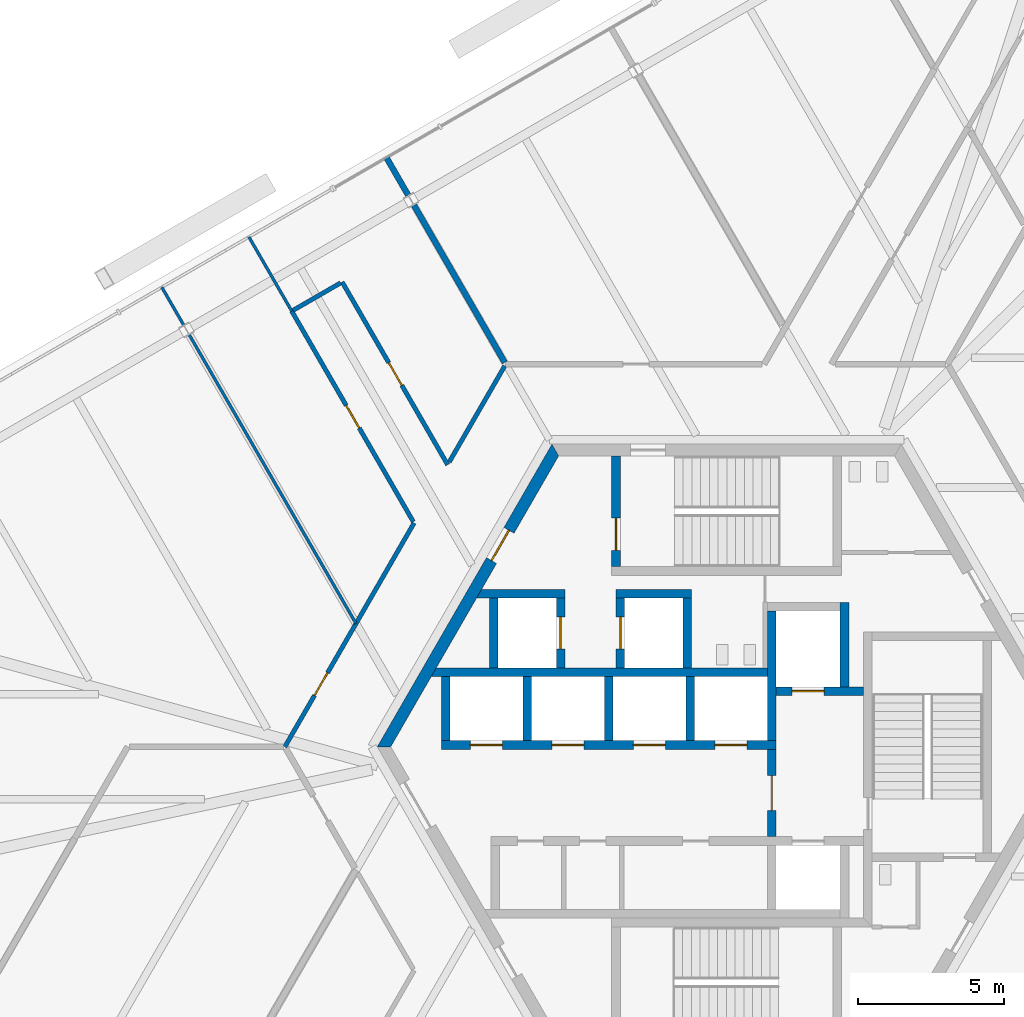
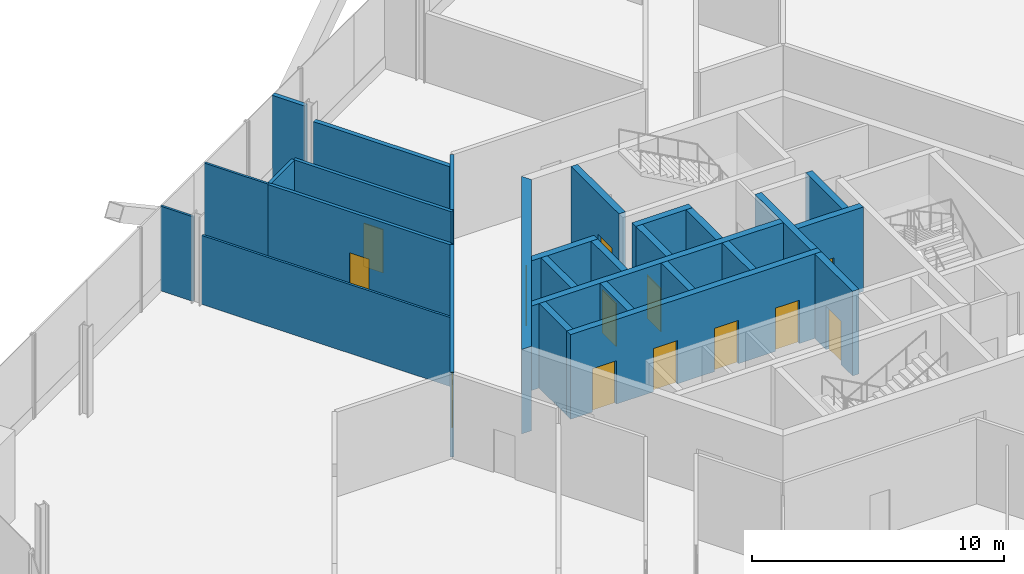
# One storey, part 12 of 16: 28 walls, 13 doors, 13 openings.
"""IFC4 building model written with IfcOpenShell, lengths in metres."""

from ifc_helpers import new_model, si_unit, direction, frame, frame_2d, origin, place, context, subcontext, project, spatial, polyline, rectangle, outline, extrude, source, transform, mapped, material, layer, layer_set, type_object, element, fill, save


model = new_model("IFC4")

# Units and contexts
model_context = context("Model", 3, precision=1e-05, world=origin(), true_north=direction((0.0, 1.0)))
body_context = subcontext(model_context, "Body", "Model", "MODEL_VIEW")
ifc_project = project(units=[si_unit("LENGTHUNIT", "METRE"), si_unit("AREAUNIT", "SQUARE_METRE"), si_unit("VOLUMEUNIT", "CUBIC_METRE"), si_unit("PLANEANGLEUNIT", "RADIAN"), si_unit("MASSUNIT", "GRAM", prefix="KILO")], contexts=[model_context])

# Site, building, storey
site_placement = place(None, origin())
site = spatial("IfcSite", under=ifc_project, at=site_placement, CompositionType="ELEMENT")
building_placement = place(site_placement, origin())
building = spatial("IfcBuilding", under=site, at=building_placement, Name="Triune Harvest Tower", CompositionType="ELEMENT")
storey_placement = place(building_placement, frame((0.0, 0.0, 37.5)))
storey = spatial("IfcBuildingStorey", under=building, at=storey_placement, Name="L08", CompositionType="ELEMENT", Elevation=37.5)

# Wall, opening, door
ifc_material_1 = material(Name="Gypsum board on steel studs", Category="steel")
ifc_layer_1 = layer(ifc_material_1, 0.14990234375)
ifc_layer_set_1 = layer_set([ifc_layer_1], Name="Gypsum board on steel studs")
wall_type_1 = type_object("IfcWallType", Name="Fire Partition 150 mm", PredefinedType="PARTITIONING", material=ifc_layer_set_1)
wall_1_placement = place(storey_placement, frame((-14.938720703125, 14.965087890625, 0.0), z_axis=(0.0, 0.0, 1.0), x_axis=(0.499977133552, -0.866038605332, 0.0)))
wall_1 = element("IfcWall", 1, at=wall_1_placement, inside=storey, type_object=wall_type_1, Name="Partition L08 007", PredefinedType="PARTITIONING", context=body_context, shape_type="SweptSolid", body=[
    extrude(rectangle(XDim=8.353515625, YDim=0.14990234375, at=frame_2d((4.1767578125, 0.0))), origin(), (0.0, 0.0, 1.0), 4.10009765625),
])
opening_1_placement = place(wall_1_placement, frame((3.739990234375, 0.0, 0.0)))
opening_1 = element("IfcOpeningElement", 2, at=opening_1_placement, cuts=wall_1, Name="Opening L08-010", PredefinedType="OPENING", context=body_context, shape_type="SweptSolid", body=[
    extrude(rectangle(XDim=0.89990234375, YDim=2.10009765625, at=frame_2d((0.449951171875, 1.050048828125))), frame((0.0, 0.0849609375, 0.0), z_axis=(0.0, -1.0, 0.0), x_axis=(1.0, 0.0, 0.0)), (0.0, 0.0, 1.0), 0.169921875),
])
ifc_material_2 = material(Name="Timber and steel door set", Category="steel")
door_type_1 = type_object("IfcDoorType", Name="Single leaf door FD30 right hand 900 x 2100", OperationType="SINGLE_SWING_RIGHT", PredefinedType="DOOR", material=ifc_material_2)
door_1_placement = place(opening_1_placement, origin())
door_1 = element("IfcDoor", 3, at=door_1_placement, inside=storey, type_object=door_type_1, Name="Door L08-010 Packing Room 08.10", OperationType="SINGLE_SWING_RIGHT", OverallHeight=2.10009765625, OverallWidth=0.89990234375, PredefinedType="DOOR", context=body_context, shape_type="SweptSolid", body=[
    extrude(rectangle(XDim=0.89990234375, YDim=2.10009765625, at=frame_2d((0.449951171875, 1.050048828125))), frame((0.0, 0.02490234375, 0.0), z_axis=(0.0, -1.0, 0.0), x_axis=(1.0, 0.0, 0.0)), (0.0, 0.0, 1.0), 0.050048828125),
])
fill(opening_1, door_1)

wall_2_placement = place(storey_placement, frame((-15.17529296875, 0.0, 0.0), z_axis=(0.0, 0.0, 1.0), x_axis=(0.499999423938, 0.866025736374, 0.0)))
wall_2 = element("IfcWall", 4, at=wall_2_placement, inside=storey, type_object=wall_type_1, Name="Partition L08 059", PredefinedType="PARTITIONING", context=body_context, shape_type="SweptSolid", body=[
    extrude(rectangle(XDim=8.87646484375, YDim=0.14990234375, at=frame_2d((4.438232421875, 0.0))), origin(), (0.0, 0.0, 1.0), 4.10009765625),
])
opening_2_placement = place(wall_2_placement, frame((2.037109375, 0.0, 0.0)))
opening_2 = element("IfcOpeningElement", 5, at=opening_2_placement, cuts=wall_2, Name="Opening L08-012", PredefinedType="OPENING", context=body_context, shape_type="SweptSolid", body=[
    extrude(rectangle(XDim=0.89990234375, YDim=2.10009765625, at=frame_2d((0.449951171875, 1.050048828125))), frame((0.0, 0.0849609375, 0.0), z_axis=(0.0, -1.0, 0.0), x_axis=(1.0, 0.0, 0.0)), (0.0, 0.0, 1.0), 0.169921875),
])
ifc_material_3 = material(Name="Timber and steel door set", Category="steel")
door_type_2 = type_object("IfcDoorType", Name="Single leaf door FD30 left hand 900 x 2100", OperationType="SINGLE_SWING_LEFT", PredefinedType="DOOR", material=ifc_material_3)
door_2_placement = place(opening_2_placement, origin())
door_2 = element("IfcDoor", 6, at=door_2_placement, inside=storey, type_object=door_type_2, Name="Door L08-012 Cold Store 08.12", OperationType="SINGLE_SWING_LEFT", OverallHeight=2.10009765625, OverallWidth=0.89990234375, PredefinedType="DOOR", context=body_context, shape_type="SweptSolid", body=[
    extrude(rectangle(XDim=0.89990234375, YDim=2.10009765625, at=frame_2d((0.449951171875, 1.050048828125))), frame((0.0, 0.02490234375, 0.0), z_axis=(0.0, -1.0, 0.0), x_axis=(1.0, 0.0, 0.0)), (0.0, 0.0, 1.0), 0.050048828125),
])
fill(opening_2, door_2)

# Walls
wall_3_placement = place(storey_placement, frame((-9.52734375, 9.78271484375, 0.0), z_axis=(0.0, 0.0, 1.0), x_axis=(0.50001277644, 0.866018027177, 0.0)))
element("IfcWall", 7, at=wall_3_placement, inside=storey, type_object=wall_type_1, Name="Partition L08 060", PredefinedType="PARTITIONING", context=body_context, shape_type="SweptSolid", body=[
    extrude(rectangle(XDim=3.8095703125, YDim=0.14990234375, at=frame_2d((1.90478515625, 0.0))), origin(), (0.0, 0.0, 1.0), 4.10009765625),
])
ifc_material_4 = material(Name="Gypsum board on steel studs", Category="steel")
ifc_layer_2 = layer(ifc_material_4, 0.10009765625)
ifc_layer_set_2 = layer_set([ifc_layer_2], Name="Gypsum board on steel studs")
wall_type_2 = type_object("IfcWallType", Name="Partition 100 mm", PredefinedType="PARTITIONING", material=ifc_layer_set_2)
wall_4_placement = place(storey_placement, frame((-16.40966796875, 17.5126953125, 0.0), z_axis=(0.0, 0.0, 1.0), x_axis=(0.500041054325, -0.866001699761, 0.0)))
element("IfcWall", 8, at=wall_4_placement, inside=storey, type_object=wall_type_2, Name="Partition L08 006", PredefinedType="PARTITIONING", context=body_context, shape_type="SweptSolid", body=[
    extrude(rectangle(XDim=2.940673828125, YDim=0.10009765625, at=frame_2d((1.47021484375, 0.0))), origin(), (0.0, 0.0, 1.0), 4.10009765625),
])

# Wall, opening, door
ifc_material_5 = material(Name="Concrete 70 MPa", Category="concrete")
ifc_layer_3 = layer(ifc_material_5, 0.39990234375)
ifc_layer_set_3 = layer_set([ifc_layer_3], Name="Concrete 70 MPa")
wall_type_3 = type_object("IfcWallType", Name="Core wall 400", PredefinedType="SHEAR", material=ifc_layer_set_3)
shared_shape_1 = source(origin(), body_context, "Body", "SweptSolid", [
    extrude(outline(polyline([(-0.115478515625, -0.199951171875), (11.884521484375, -0.199951171875), (11.653564453125, 0.199951171875), (0.115478515625, 0.199951171875), (-0.115478515625, -0.199951171875)])), origin(), (0.0, 0.0, 1.0), 4.10009765625),
])
wall_5_placement = place(storey_placement, frame((-5.884521484375, 10.1923828125, 0.0), z_axis=(0.0, 0.0, 1.0), x_axis=(-0.499996592174, -0.866027371285, 0.0)))
wall_5 = element("IfcWall", 9, at=wall_5_placement, inside=storey, type_object=wall_type_3, Name="Hexagon 2 wall", PredefinedType="SHEAR", context=body_context, shape_type="MappedRepresentation", body=[
    mapped(shared_shape_1, transform((0.0, 0.0, 0.0), scale=1.0)),
])
opening_3_placement = place(wall_5_placement, frame((3.1845703125, 0.0, 0.0)))
opening_3 = element("IfcOpeningElement", 10, at=opening_3_placement, cuts=wall_5, Name="Opening CD-SVP", PredefinedType="OPENING", context=body_context, shape_type="SweptSolid", body=[
    extrude(rectangle(XDim=1.199951171875, YDim=2.10009765625, at=frame_2d((0.60009765625, 1.050048828125))), frame((0.0, 0.2099609375, 0.0), z_axis=(0.0, -1.0, 0.0), x_axis=(1.0, 0.0, 0.0)), (0.0, 0.0, 1.0), 0.419921875),
])
ifc_material_6 = material(Name="Steel S235", Category="steel")
door_type_3 = type_object("IfcDoorType", Name="Service door 1200 FD120", OperationType="SINGLE_SWING_LEFT", PredefinedType="DOOR", material=ifc_material_6)
door_3_placement = place(opening_3_placement, frame((1.199951171875, 0.0, 0.0), z_axis=(0.0, 0.0, 1.0), x_axis=(-1.0, 0.0, 0.0)))
door_3 = element("IfcDoor", 11, at=door_3_placement, inside=storey, type_object=door_type_3, Name="Door CD-SVP", OperationType="SINGLE_SWING_RIGHT", OverallHeight=2.10009765625, OverallWidth=1.199951171875, PredefinedType="DOOR", context=body_context, shape_type="SweptSolid", body=[
    extrude(rectangle(XDim=1.199951171875, YDim=2.10009765625, at=frame_2d((0.60009765625, 1.050048828125))), frame((0.0, 0.02490234375, 0.0), z_axis=(0.0, -1.0, 0.0), x_axis=(1.0, 0.0, 0.0)), (0.0, 0.0, 1.0), 0.050048828125),
])
fill(opening_3, door_3)

# Wall, openings, doors
ifc_material_7 = material(Name="Concrete 70 MPa", Category="concrete")
ifc_layer_4 = layer(ifc_material_7, 0.300048828125)
ifc_layer_set_4 = layer_set([ifc_layer_4], Name="Concrete 70 MPa")
wall_type_4 = type_object("IfcWallType", Name="Core wall 300", PredefinedType="SHEAR", material=ifc_layer_set_4)
shared_shape_2 = source(origin(), body_context, "Body", "SweptSolid", [
    extrude(rectangle(XDim=11.5, YDim=0.300048828125, at=frame_2d((5.75, 0.0))), origin(), (0.0, 0.0, 1.0), 4.10009765625),
])
wall_6_placement = place(storey_placement, frame((-9.800048828125, 0.06005859375, 0.0), z_axis=(0.0, 0.0, 1.0), x_axis=(1.0, 0.0, 0.0)))
wall_6 = element("IfcWall", 12, at=wall_6_placement, inside=storey, type_object=wall_type_4, Name="North front wall", PredefinedType="SHEAR", context=body_context, shape_type="MappedRepresentation", body=[
    mapped(shared_shape_2, transform((0.0, 0.0, 0.0), scale=1.0)),
])
opening_4_placement = place(wall_6_placement, frame((1.0, 0.0, 0.0)))
opening_4 = element("IfcOpeningElement", 13, at=opening_4_placement, cuts=wall_6, Name="Opening LD-LR1-08", PredefinedType="OPENING", context=body_context, shape_type="SweptSolid", body=[
    extrude(rectangle(XDim=1.10009765625, YDim=2.10009765625, at=frame_2d((0.550048828125, 1.050048828125))), frame((0.0, 0.16015625, 0.0), z_axis=(0.0, -1.0, 0.0), x_axis=(1.0, 0.0, 0.0)), (0.0, 0.0, 1.0), 0.320068359375),
])
opening_5_placement = place(wall_6_placement, frame((3.800048828125, 0.0, 0.0)))
opening_5 = element("IfcOpeningElement", 14, at=opening_5_placement, cuts=wall_6, Name="Opening LD-LR2-08", PredefinedType="OPENING", context=body_context, shape_type="SweptSolid", body=[
    extrude(rectangle(XDim=1.10009765625, YDim=2.10009765625, at=frame_2d((0.550048828125, 1.050048828125))), frame((0.0, 0.16015625, 0.0), z_axis=(0.0, -1.0, 0.0), x_axis=(1.0, 0.0, 0.0)), (0.0, 0.0, 1.0), 0.320068359375),
])
opening_6_placement = place(wall_6_placement, frame((6.60009765625, 0.0, 0.0)))
opening_6 = element("IfcOpeningElement", 15, at=opening_6_placement, cuts=wall_6, Name="Opening LD-LR3-08", PredefinedType="OPENING", context=body_context, shape_type="SweptSolid", body=[
    extrude(rectangle(XDim=1.10009765625, YDim=2.10009765625, at=frame_2d((0.550048828125, 1.050048828125))), frame((0.0, 0.16015625, 0.0), z_axis=(0.0, -1.0, 0.0), x_axis=(1.0, 0.0, 0.0)), (0.0, 0.0, 1.0), 0.320068359375),
])
opening_7_placement = place(wall_6_placement, frame((9.39990234375, 0.0, 0.0)))
opening_7 = element("IfcOpeningElement", 16, at=opening_7_placement, cuts=wall_6, Name="Opening LD-LR4-08", PredefinedType="OPENING", context=body_context, shape_type="SweptSolid", body=[
    extrude(rectangle(XDim=1.10009765625, YDim=2.10009765625, at=frame_2d((0.550048828125, 1.050048828125))), frame((0.0, 0.16015625, 0.0), z_axis=(0.0, -1.0, 0.0), x_axis=(1.0, 0.0, 0.0)), (0.0, 0.0, 1.0), 0.320068359375),
])
ifc_material_8 = material(Name="Stainless steel AISI 304", Category="steel")
door_type_4 = type_object("IfcDoorType", Name="Landing door 1100 x 2100", OperationType="DOUBLE_DOOR_SLIDING", PredefinedType="DOOR", material=ifc_material_8)
door_4_placement = place(opening_4_placement, origin())
door_4 = element("IfcDoor", 17, at=door_4_placement, inside=storey, type_object=door_type_4, Name="Door LD-LR1-08", OperationType="DOUBLE_DOOR_SLIDING", OverallHeight=2.10009765625, OverallWidth=1.10009765625, PredefinedType="DOOR", context=body_context, shape_type="SweptSolid", body=[
    extrude(rectangle(XDim=1.10009765625, YDim=2.10009765625, at=frame_2d((0.550048828125, 1.050048828125))), frame((0.0, 0.02490234375, 0.0), z_axis=(0.0, -1.0, 0.0), x_axis=(1.0, 0.0, 0.0)), (0.0, 0.0, 1.0), 0.050048828125),
])
fill(opening_4, door_4)
door_5_placement = place(opening_5_placement, origin())
door_5 = element("IfcDoor", 18, at=door_5_placement, inside=storey, type_object=door_type_4, Name="Door LD-LR2-08", OperationType="DOUBLE_DOOR_SLIDING", OverallHeight=2.10009765625, OverallWidth=1.10009765625, PredefinedType="DOOR", context=body_context, shape_type="SweptSolid", body=[
    extrude(rectangle(XDim=1.10009765625, YDim=2.10009765625, at=frame_2d((0.550048828125, 1.050048828125))), frame((0.0, 0.02490234375, 0.0), z_axis=(0.0, -1.0, 0.0), x_axis=(1.0, 0.0, 0.0)), (0.0, 0.0, 1.0), 0.050048828125),
])
fill(opening_5, door_5)
door_6_placement = place(opening_6_placement, origin())
door_6 = element("IfcDoor", 19, at=door_6_placement, inside=storey, type_object=door_type_4, Name="Door LD-LR3-08", OperationType="DOUBLE_DOOR_SLIDING", OverallHeight=2.10009765625, OverallWidth=1.10009765625, PredefinedType="DOOR", context=body_context, shape_type="SweptSolid", body=[
    extrude(rectangle(XDim=1.10009765625, YDim=2.10009765625, at=frame_2d((0.550048828125, 1.050048828125))), frame((0.0, 0.02490234375, 0.0), z_axis=(0.0, -1.0, 0.0), x_axis=(1.0, 0.0, 0.0)), (0.0, 0.0, 1.0), 0.050048828125),
])
fill(opening_6, door_6)
door_7_placement = place(opening_7_placement, origin())
door_7 = element("IfcDoor", 20, at=door_7_placement, inside=storey, type_object=door_type_4, Name="Door LD-LR4-08", OperationType="DOUBLE_DOOR_SLIDING", OverallHeight=2.10009765625, OverallWidth=1.10009765625, PredefinedType="DOOR", context=body_context, shape_type="SweptSolid", body=[
    extrude(rectangle(XDim=1.10009765625, YDim=2.10009765625, at=frame_2d((0.550048828125, 1.050048828125))), frame((0.0, 0.02490234375, 0.0), z_axis=(0.0, -1.0, 0.0), x_axis=(1.0, 0.0, 0.0)), (0.0, 0.0, 1.0), 0.050048828125),
])
fill(opening_7, door_7)

# Walls
shared_shape_3 = source(origin(), body_context, "Body", "SweptSolid", [
    extrude(outline(polyline([(11.199951171875, -0.14990234375), (-0.34912109375, -0.14990234375), (-0.17578125, 0.14990234375), (11.199951171875, 0.14990234375), (11.199951171875, -0.14990234375)])), origin(), (0.0, 0.0, 1.0), 4.10009765625),
])
wall_7_placement = place(storey_placement, frame((-9.800048828125, 2.56005859375, 0.0), z_axis=(0.0, 0.0, 1.0), x_axis=(1.0, 0.0, 0.0)))
element("IfcWall", 21, at=wall_7_placement, inside=storey, type_object=wall_type_4, Name="North back wall", PredefinedType="SHEAR", context=body_context, shape_type="MappedRepresentation", body=[
    mapped(shared_shape_3, transform((0.0, 0.0, 0.0), scale=1.0)),
])
shared_shape_4 = source(origin(), body_context, "Body", "SweptSolid", [
    extrude(rectangle(XDim=4.449951171875, YDim=0.300048828125, at=frame_2d((2.22509765625, 0.0))), origin(), (0.0, 0.0, 1.0), 4.10009765625),
])
wall_8_placement = place(storey_placement, frame((1.550048828125, 0.2099609375, 0.0), z_axis=(0.0, 0.0, 1.0), x_axis=(0.0, 1.0, 0.0)))
element("IfcWall", 22, at=wall_8_placement, inside=storey, type_object=wall_type_4, Name="Ff1 west wall", PredefinedType="SHEAR", context=body_context, shape_type="MappedRepresentation", body=[
    mapped(shared_shape_4, transform((0.0, 0.0, 0.0), scale=1.0)),
])

# Wall, opening, door
shared_shape_5 = source(origin(), body_context, "Body", "SweptSolid", [
    extrude(rectangle(XDim=3.0, YDim=0.300048828125, at=frame_2d((1.5, 0.0))), origin(), (0.0, 0.0, 1.0), 4.10009765625),
])
wall_9_placement = place(storey_placement, frame((1.699951171875, 1.909912109375, 0.0), z_axis=(0.0, 0.0, 1.0), x_axis=(1.0, 0.0, 0.0)))
wall_9 = element("IfcWall", 23, at=wall_9_placement, inside=storey, type_object=wall_type_4, Name="Ff1 front wall", PredefinedType="SHEAR", context=body_context, shape_type="MappedRepresentation", body=[
    mapped(shared_shape_5, transform((0.0, 0.0, 0.0), scale=1.0)),
])
opening_8_placement = place(wall_9_placement, frame((0.550048828125, 0.0, 0.0)))
opening_8 = element("IfcOpeningElement", 24, at=opening_8_placement, cuts=wall_9, Name="Opening LD-FF1-08", PredefinedType="OPENING", context=body_context, shape_type="SweptSolid", body=[
    extrude(rectangle(XDim=1.10009765625, YDim=2.10009765625, at=frame_2d((0.550048828125, 1.050048828125))), frame((0.0, 0.16015625, 0.0), z_axis=(0.0, -1.0, 0.0), x_axis=(1.0, 0.0, 0.0)), (0.0, 0.0, 1.0), 0.320068359375),
])
door_8_placement = place(opening_8_placement, origin())
door_8 = element("IfcDoor", 25, at=door_8_placement, inside=storey, type_object=door_type_4, Name="Door LD-FF1-08", OperationType="DOUBLE_DOOR_SLIDING", OverallHeight=2.10009765625, OverallWidth=1.10009765625, PredefinedType="DOOR", context=body_context, shape_type="SweptSolid", body=[
    extrude(rectangle(XDim=1.10009765625, YDim=2.10009765625, at=frame_2d((0.550048828125, 1.050048828125))), frame((0.0, 0.02490234375, 0.0), z_axis=(0.0, -1.0, 0.0), x_axis=(1.0, 0.0, 0.0)), (0.0, 0.0, 1.0), 0.050048828125),
])
fill(opening_8, door_8)

wall_10_placement = place(storey_placement, frame((1.550048828125, -3.090087890625, 0.0), z_axis=(0.0, 0.0, 1.0), x_axis=(0.0, 1.0, 0.0)))
wall_10 = element("IfcWall", 26, at=wall_10_placement, inside=storey, type_object=wall_type_4, Name="Ff lobby west wall", PredefinedType="SHEAR", context=body_context, shape_type="MappedRepresentation", body=[
    mapped(shared_shape_5, transform((0.0, 0.0, 0.0), scale=1.0)),
])
opening_9_placement = place(wall_10_placement, frame((0.89990234375, 0.0, 0.0)))
opening_9 = element("IfcOpeningElement", 27, at=opening_9_placement, cuts=wall_10, Name="Opening CD-FL", PredefinedType="OPENING", context=body_context, shape_type="SweptSolid", body=[
    extrude(rectangle(XDim=1.199951171875, YDim=2.10009765625, at=frame_2d((0.60009765625, 1.050048828125))), frame((0.0, 0.16015625, 0.0), z_axis=(0.0, -1.0, 0.0), x_axis=(1.0, 0.0, 0.0)), (0.0, 0.0, 1.0), 0.320068359375),
])
ifc_material_9 = material(Name="Steel S235", Category="steel")
door_type_5 = type_object("IfcDoorType", Name="Firefighters' lobby door 1200 FD120", OperationType="SINGLE_SWING_LEFT", PredefinedType="DOOR", material=ifc_material_9)
door_9_placement = place(opening_9_placement, frame((1.199951171875, 0.0, 0.0), z_axis=(0.0, 0.0, 1.0), x_axis=(-1.0, 0.0, 0.0)))
door_9 = element("IfcDoor", 28, at=door_9_placement, inside=storey, type_object=door_type_5, Name="Door CD-FL", OperationType="SINGLE_SWING_RIGHT", OverallHeight=2.10009765625, OverallWidth=1.199951171875, PredefinedType="DOOR", context=body_context, shape_type="SweptSolid", body=[
    extrude(rectangle(XDim=1.199951171875, YDim=2.10009765625, at=frame_2d((0.60009765625, 1.050048828125))), frame((0.0, 0.02490234375, 0.0), z_axis=(0.0, -1.0, 0.0), x_axis=(1.0, 0.0, 0.0)), (0.0, 0.0, 1.0), 0.050048828125),
])
fill(opening_9, door_9)

# Walls
shared_shape_6 = source(origin(), body_context, "Body", "SweptSolid", [
    extrude(rectangle(XDim=2.89990234375, YDim=0.300048828125, at=frame_2d((1.449951171875, 0.0))), origin(), (0.0, 0.0, 1.0), 4.10009765625),
])
wall_11_placement = place(storey_placement, frame((4.050048828125, 2.06005859375, 0.0), z_axis=(0.0, 0.0, 1.0), x_axis=(0.0, 1.0, 0.0)))
element("IfcWall", 29, at=wall_11_placement, inside=storey, type_object=wall_type_4, Name="Ff1 east wall", PredefinedType="SHEAR", context=body_context, shape_type="MappedRepresentation", body=[
    mapped(shared_shape_6, transform((0.0, 0.0, 0.0), scale=1.0)),
])
shared_shape_7 = source(origin(), body_context, "Body", "SweptSolid", [
    extrude(rectangle(XDim=2.199951171875, YDim=0.300048828125, at=frame_2d((1.10009765625, 0.0))), origin(), (0.0, 0.0, 1.0), 4.10009765625),
])
for number, where, z_axis, x_axis, name in (
    (30, (-9.64990234375, 0.2099609375, 0.0), (0.0, 0.0, 1.0), (0.0, 1.0, 0.0), "North end west wall"),
    (31, (-6.85009765625, 0.2099609375, 0.0), (0.0, 0.0, 1.0), (0.0, 1.0, 0.0), "North cross 1 wall"),
    (32, (-4.050048828125, 0.2099609375, 0.0), (0.0, 0.0, 1.0), (0.0, 1.0, 0.0), "North cross 2 wall"),
    (33, (-1.25, 0.2099609375, 0.0), (0.0, 0.0, 1.0), (0.0, 1.0, 0.0), "North cross 3 wall"),
):
    element("IfcWall", number, at=place(storey_placement, frame(where, z_axis=z_axis, x_axis=x_axis)), inside=storey, type_object=wall_type_4, Name=name, PredefinedType="SHEAR", context=body_context, shape_type="MappedRepresentation", body=[
        mapped(shared_shape_7, transform((0.0, 0.0, 0.0), scale=1.0)),
    ])

# Wall, opening, door
shared_shape_8 = source(origin(), body_context, "Body", "SweptSolid", [
    extrude(outline(polyline([(0.0, -0.14990234375), (0.0, 0.14990234375), (3.80419921875, 0.14990234375), (3.80419921875, -0.14990234375), (0.0, -0.14990234375)])), origin(), (0.0, 0.0, 1.0), 4.10009765625),
])
wall_12_placement = place(storey_placement, frame((-3.800048828125, 6.18994140625, 0.0), z_axis=(0.0, 0.0, 1.0), x_axis=(0.0, 1.0, 0.0)))
wall_12 = element("IfcWall", 34, at=wall_12_placement, inside=storey, type_object=wall_type_4, Name="Stair n west wall", PredefinedType="SHEAR", context=body_context, shape_type="MappedRepresentation", body=[
    mapped(shared_shape_8, transform((0.0, 0.0, 0.0), scale=1.0)),
])
opening_10_placement = place(wall_12_placement, frame((0.56005859375, 0.0, 0.0)))
opening_10 = element("IfcOpeningElement", 35, at=opening_10_placement, cuts=wall_12, Name="Opening CD-S1L", PredefinedType="OPENING", context=body_context, shape_type="SweptSolid", body=[
    extrude(rectangle(XDim=1.10009765625, YDim=2.10009765625, at=frame_2d((0.550048828125, 1.050048828125))), frame((0.0, 0.16015625, 0.0), z_axis=(0.0, -1.0, 0.0), x_axis=(1.0, 0.0, 0.0)), (0.0, 0.0, 1.0), 0.320068359375),
])
ifc_material_10 = material(Name="Steel S235", Category="steel")
door_type_6 = type_object("IfcDoorType", Name="Stair door 1100 FD120", OperationType="SINGLE_SWING_LEFT", PredefinedType="DOOR", material=ifc_material_10)
door_10_placement = place(opening_10_placement, frame((1.10009765625, 0.0, 0.0), z_axis=(0.0, 0.0, 1.0), x_axis=(-1.0, 0.0, 0.0)))
door_10 = element("IfcDoor", 36, at=door_10_placement, inside=storey, type_object=door_type_6, Name="Door CD-S1L", OperationType="SINGLE_SWING_RIGHT", OverallHeight=2.10009765625, OverallWidth=1.10009765625, PredefinedType="DOOR", context=body_context, shape_type="SweptSolid", body=[
    extrude(rectangle(XDim=1.10009765625, YDim=2.10009765625, at=frame_2d((0.550048828125, 1.050048828125))), frame((0.0, 0.02490234375, 0.0), z_axis=(0.0, -1.0, 0.0), x_axis=(1.0, 0.0, 0.0)), (0.0, 0.0, 1.0), 0.050048828125),
])
fill(opening_10, door_10)

# Walls
shared_shape_9 = source(origin(), body_context, "Body", "SweptSolid", [
    extrude(outline(polyline([(2.60009765625, -0.14990234375), (-0.440185546875, -0.14990234375), (-0.26708984375, 0.14990234375), (2.60009765625, 0.14990234375), (2.60009765625, -0.14990234375)])), origin(), (0.0, 0.0, 1.0), 4.10009765625),
])
wall_13_placement = place(storey_placement, frame((-8.14990234375, 5.260009765625, 0.0), z_axis=(0.0, 0.0, 1.0), x_axis=(1.0, 0.0, 0.0)))
element("IfcWall", 37, at=wall_13_placement, inside=storey, type_object=wall_type_4, Name="Sv1 north wall", PredefinedType="SHEAR", context=body_context, shape_type="MappedRepresentation", body=[
    mapped(shared_shape_9, transform((0.0, 0.0, 0.0), scale=1.0)),
])
shared_shape_10 = source(origin(), body_context, "Body", "SweptSolid", [
    extrude(rectangle(XDim=2.400146484375, YDim=0.300048828125, at=frame_2d((1.2001953125, 0.0))), origin(), (0.0, 0.0, 1.0), 4.10009765625),
])
wall_14_placement = place(storey_placement, frame((-8.0, 2.7099609375, 0.0), z_axis=(0.0, 0.0, 1.0), x_axis=(0.0, 1.0, 0.0)))
element("IfcWall", 38, at=wall_14_placement, inside=storey, type_object=wall_type_4, Name="Sv1 west wall", PredefinedType="SHEAR", context=body_context, shape_type="MappedRepresentation", body=[
    mapped(shared_shape_10, transform((0.0, 0.0, 0.0), scale=1.0)),
])

# Wall, opening, door
wall_15_placement = place(storey_placement, frame((-5.699951171875, 2.7099609375, 0.0), z_axis=(0.0, 0.0, 1.0), x_axis=(0.0, 1.0, 0.0)))
wall_15 = element("IfcWall", 39, at=wall_15_placement, inside=storey, type_object=wall_type_4, Name="Sv1 east wall", PredefinedType="SHEAR", context=body_context, shape_type="MappedRepresentation", body=[
    mapped(shared_shape_10, transform((0.0, 0.0, 0.0), scale=1.0)),
])
opening_11_placement = place(wall_15_placement, frame((0.64990234375, 0.0, 0.0)))
opening_11 = element("IfcOpeningElement", 40, at=opening_11_placement, cuts=wall_15, Name="Opening LD-SV1-08", PredefinedType="OPENING", context=body_context, shape_type="SweptSolid", body=[
    extrude(rectangle(XDim=1.10009765625, YDim=2.10009765625, at=frame_2d((0.550048828125, 1.050048828125))), frame((0.0, 0.16015625, 0.0), z_axis=(0.0, -1.0, 0.0), x_axis=(1.0, 0.0, 0.0)), (0.0, 0.0, 1.0), 0.320068359375),
])
door_11_placement = place(opening_11_placement, origin())
door_11 = element("IfcDoor", 41, at=door_11_placement, inside=storey, type_object=door_type_4, Name="Door LD-SV1-08", OperationType="DOUBLE_DOOR_SLIDING", OverallHeight=2.10009765625, OverallWidth=1.10009765625, PredefinedType="DOOR", context=body_context, shape_type="SweptSolid", body=[
    extrude(rectangle(XDim=1.10009765625, YDim=2.10009765625, at=frame_2d((0.550048828125, 1.050048828125))), frame((0.0, 0.02490234375, 0.0), z_axis=(0.0, -1.0, 0.0), x_axis=(1.0, 0.0, 0.0)), (0.0, 0.0, 1.0), 0.050048828125),
])
fill(opening_11, door_11)

wall_16_placement = place(storey_placement, frame((-3.64990234375, 2.7099609375, 0.0), z_axis=(0.0, 0.0, 1.0), x_axis=(0.0, 1.0, 0.0)))
wall_16 = element("IfcWall", 42, at=wall_16_placement, inside=storey, type_object=wall_type_4, Name="Sv2 west wall", PredefinedType="SHEAR", context=body_context, shape_type="MappedRepresentation", body=[
    mapped(shared_shape_10, transform((0.0, 0.0, 0.0), scale=1.0)),
])
opening_12_placement = place(wall_16_placement, frame((0.64990234375, 0.0, 0.0)))
opening_12 = element("IfcOpeningElement", 43, at=opening_12_placement, cuts=wall_16, Name="Opening LD-SV2-08", PredefinedType="OPENING", context=body_context, shape_type="SweptSolid", body=[
    extrude(rectangle(XDim=1.10009765625, YDim=2.10009765625, at=frame_2d((0.550048828125, 1.050048828125))), frame((0.0, 0.16015625, 0.0), z_axis=(0.0, -1.0, 0.0), x_axis=(1.0, 0.0, 0.0)), (0.0, 0.0, 1.0), 0.320068359375),
])
door_12_placement = place(opening_12_placement, origin())
door_12 = element("IfcDoor", 44, at=door_12_placement, inside=storey, type_object=door_type_4, Name="Door LD-SV2-08", OperationType="DOUBLE_DOOR_SLIDING", OverallHeight=2.10009765625, OverallWidth=1.10009765625, PredefinedType="DOOR", context=body_context, shape_type="SweptSolid", body=[
    extrude(rectangle(XDim=1.10009765625, YDim=2.10009765625, at=frame_2d((0.550048828125, 1.050048828125))), frame((0.0, 0.02490234375, 0.0), z_axis=(0.0, -1.0, 0.0), x_axis=(1.0, 0.0, 0.0)), (0.0, 0.0, 1.0), 0.050048828125),
])
fill(opening_12, door_12)

# Walls
wall_17_placement = place(storey_placement, frame((-1.35009765625, 2.7099609375, 0.0), z_axis=(0.0, 0.0, 1.0), x_axis=(0.0, 1.0, 0.0)))
element("IfcWall", 45, at=wall_17_placement, inside=storey, type_object=wall_type_4, Name="Sv2 east wall", PredefinedType="SHEAR", context=body_context, shape_type="MappedRepresentation", body=[
    mapped(shared_shape_10, transform((0.0, 0.0, 0.0), scale=1.0)),
])
shared_shape_11 = source(origin(), body_context, "Body", "SweptSolid", [
    extrude(rectangle(XDim=2.60009765625, YDim=0.300048828125, at=frame_2d((1.300048828125, 0.0))), origin(), (0.0, 0.0, 1.0), 4.10009765625),
])
wall_18_placement = place(storey_placement, frame((-3.800048828125, 5.260009765625, 0.0), z_axis=(0.0, 0.0, 1.0), x_axis=(1.0, 0.0, 0.0)))
element("IfcWall", 46, at=wall_18_placement, inside=storey, type_object=wall_type_4, Name="Sv2 north wall", PredefinedType="SHEAR", context=body_context, shape_type="MappedRepresentation", body=[
    mapped(shared_shape_11, transform((0.0, 0.0, 0.0), scale=1.0)),
])
ifc_material_11 = material(Name="Gypsum board on steel studs", Category="steel")
ifc_layer_5 = layer(ifc_material_11, 0.199951171875)
ifc_layer_set_5 = layer_set([ifc_layer_5], Name="Gypsum board on steel studs")
wall_type_5 = type_object("IfcWallType", Name="Fire Wall 200 mm", PredefinedType="PARTITIONING", material=ifc_layer_set_5)
shared_shape_12 = source(origin(), body_context, "Body", "SweptSolid", [
    extrude(rectangle(XDim=1.49853515625, YDim=0.199951171875, at=frame_2d((0.749267578125, 0.0))), origin(), (0.0, 0.0, 1.0), 4.10009765625),
])
wall_19_placement = place(storey_placement, frame((-11.685546875, 20.240234375, 0.0), z_axis=(0.0, 0.0, 1.0), x_axis=(0.499976292358, -0.866039090965, 0.0)))
element("IfcWall", 47, at=wall_19_placement, inside=storey, type_object=wall_type_5, Name="Partition L08 012", PredefinedType="PARTITIONING", context=body_context, shape_type="MappedRepresentation", body=[
    mapped(shared_shape_12, transform((0.0, 0.0, 0.0), scale=1.0)),
])
shared_shape_13 = source(origin(), body_context, "Body", "SweptSolid", [
    extrude(rectangle(XDim=1.49853515625, YDim=0.10009765625, at=frame_2d((0.749267578125, 0.0))), origin(), (0.0, 0.0, 1.0), 4.10009765625),
])
wall_20_placement = place(storey_placement, frame((-19.40185546875, 15.78515625, 0.0), z_axis=(0.0, 0.0, 1.0), x_axis=(0.499976292358, -0.866039090965, 0.0)))
element("IfcWall", 48, at=wall_20_placement, inside=storey, type_object=wall_type_2, Name="Partition L08 004", PredefinedType="PARTITIONING", context=body_context, shape_type="MappedRepresentation", body=[
    mapped(shared_shape_13, transform((0.0, 0.0, 0.0), scale=1.0)),
])
shared_shape_14 = source(origin(), body_context, "Body", "SweptSolid", [
    extrude(rectangle(XDim=11.454833984375, YDim=0.10009765625, at=frame_2d((5.7275390625, 0.0))), origin(), (0.0, 0.0, 1.0), 3.343017578125),
])
wall_21_placement = place(storey_placement, frame((-18.45947265625, 14.152587890625, 0.0), z_axis=(0.0, 0.0, 1.0), x_axis=(0.500008416231, -0.866020544617, 0.0)))
element("IfcWall", 49, at=wall_21_placement, inside=storey, type_object=wall_type_2, Name="Partition L08 005", PredefinedType="PARTITIONING", context=body_context, shape_type="MappedRepresentation", body=[
    mapped(shared_shape_14, transform((0.0, 0.0, 0.0), scale=1.0)),
])

# Wall, opening, door
shared_shape_15 = source(origin(), body_context, "Body", "SweptSolid", [
    extrude(rectangle(XDim=7.248779296875, YDim=0.14990234375, at=frame_2d((3.62451171875, 0.0))), origin(), (0.0, 0.0, 1.0), 4.10009765625),
])
wall_22_placement = place(storey_placement, frame((-13.206787109375, 15.965087890625, 0.0), z_axis=(0.0, 0.0, 1.0), x_axis=(0.500014967241, -0.866016762271, 0.0)))
wall_22 = element("IfcWall", 50, at=wall_22_placement, inside=storey, type_object=wall_type_1, Name="Partition L08 009", PredefinedType="PARTITIONING", context=body_context, shape_type="MappedRepresentation", body=[
    mapped(shared_shape_15, transform((0.0, 0.0, 0.0), scale=1.0)),
])
opening_13_placement = place(wall_22_placement, frame((3.198974609375, 0.0, 0.0)))
opening_13 = element("IfcOpeningElement", 51, at=opening_13_placement, cuts=wall_22, Name="Opening L08-011", PredefinedType="OPENING", context=body_context, shape_type="SweptSolid", body=[
    extrude(rectangle(XDim=0.89990234375, YDim=2.10009765625, at=frame_2d((0.449951171875, 1.050048828125))), frame((0.0, 0.0849609375, 0.0), z_axis=(0.0, -1.0, 0.0), x_axis=(1.0, 0.0, 0.0)), (0.0, 0.0, 1.0), 0.169921875),
])
door_13_placement = place(opening_13_placement, origin())
door_13 = element("IfcDoor", 52, at=door_13_placement, inside=storey, type_object=door_type_1, Name="Door L08-011 Dry Store Room 08.11", OperationType="SINGLE_SWING_RIGHT", OverallHeight=2.10009765625, OverallWidth=0.89990234375, PredefinedType="DOOR", context=body_context, shape_type="SweptSolid", body=[
    extrude(rectangle(XDim=0.89990234375, YDim=2.10009765625, at=frame_2d((0.449951171875, 1.050048828125))), frame((0.0, 0.02490234375, 0.0), z_axis=(0.0, -1.0, 0.0), x_axis=(1.0, 0.0, 0.0)), (0.0, 0.0, 1.0), 0.050048828125),
])
fill(opening_13, door_13)

# Walls
shared_shape_16 = source(origin(), body_context, "Body", "SweptSolid", [
    extrude(rectangle(XDim=6.240966796875, YDim=0.199951171875, at=frame_2d((3.12060546875, 0.0))), origin(), (0.0, 0.0, 1.0), 3.48779296875),
])
wall_23_placement = place(storey_placement, frame((-10.7431640625, 18.607666015625, 0.0), z_axis=(0.0, 0.0, 1.0), x_axis=(0.499988843237, -0.866031845049, 0.0)))
element("IfcWall", 53, at=wall_23_placement, inside=storey, type_object=wall_type_5, Name="Partition L08 013", PredefinedType="PARTITIONING", context=body_context, shape_type="MappedRepresentation", body=[
    mapped(shared_shape_16, transform((0.0, 0.0, 0.0), scale=1.0)),
])
shared_shape_17 = source(origin(), body_context, "Body", "SweptSolid", [
    extrude(rectangle(XDim=1.889892578125, YDim=0.14990234375, at=frame_2d((0.94482421875, 0.0))), origin(), (0.0, 0.0, 1.0), 4.10009765625),
])
wall_24_placement = place(storey_placement, frame((-14.8955078125, 14.99072265625, 0.0), z_axis=(0.0, 0.0, 1.0), x_axis=(0.866000578957, 0.500042995397, 0.0)))
element("IfcWall", 54, at=wall_24_placement, inside=storey, type_object=wall_type_1, Name="Partition L08 036", PredefinedType="PARTITIONING", context=body_context, shape_type="MappedRepresentation", body=[
    mapped(shared_shape_17, transform((0.0, 0.0, 0.0), scale=1.0)),
])

save(model, "model.ifc")
